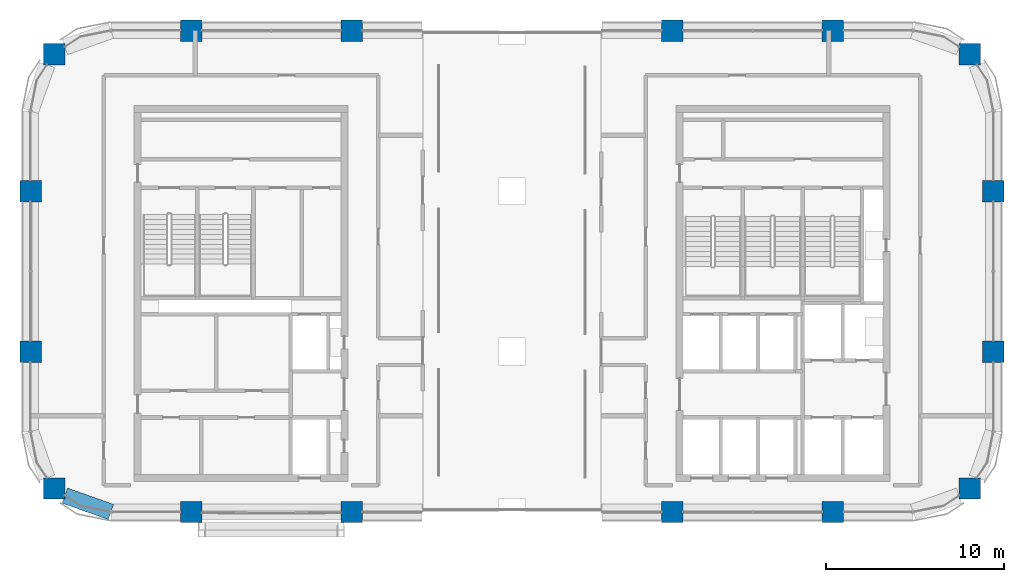
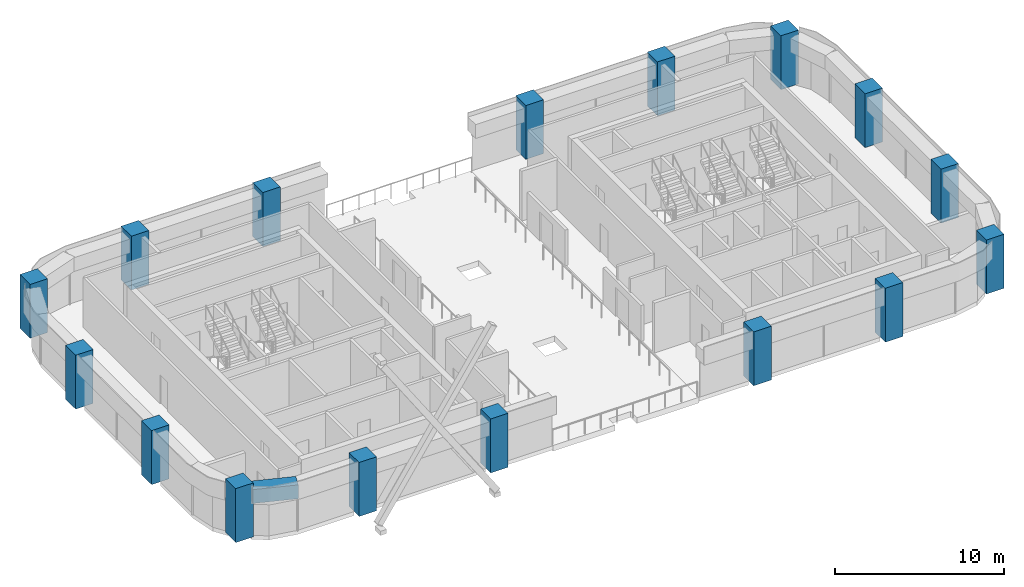
# One storey, part 1 of 11: 16 columns, 1 beam.
"""IFC4 building model written with IfcOpenShell, lengths in metres."""

from ifc_helpers import new_model, si_unit, direction, frame, origin, origin_2d, place, context, subcontext, project, spatial, rectangle, extrude, material, material_profile, profile_set, type_object, element, save


model = new_model("IFC4")

# Units and contexts
model_context = context("Model", 3, precision=1e-05, world=origin(), true_north=direction((0.0, 1.0)))
body_context = subcontext(model_context, "Body", "Model", "MODEL_VIEW")
ifc_project = project(units=[si_unit("LENGTHUNIT", "METRE"), si_unit("AREAUNIT", "SQUARE_METRE"), si_unit("VOLUMEUNIT", "CUBIC_METRE"), si_unit("PLANEANGLEUNIT", "RADIAN"), si_unit("MASSUNIT", "GRAM", prefix="KILO")], contexts=[model_context])

# Site, building, storey
site_placement = place(None, origin())
site = spatial("IfcSite", under=ifc_project, at=site_placement, CompositionType="ELEMENT")
building_placement = place(site_placement, origin())
building = spatial("IfcBuilding", under=site, at=building_placement, Name="Tessera Arch", CompositionType="ELEMENT")
storey_placement = place(building_placement, frame((0.0, 0.0, 203.300048828125)))
storey = spatial("IfcBuildingStorey", under=building, at=storey_placement, Name="L48", CompositionType="ELEMENT", Elevation=203.300048828125)

# Columns
ifc_material_1 = material(Name="Concrete C60/75", Category="concrete")
ifc_material_profile_1 = material_profile(ifc_material_1, rectangle(XDim=1.199951171875, YDim=1.199951171875, at=origin_2d()), Name="RC column 1200 x 1200 Concrete C60/75")
ifc_profile_set_1 = profile_set([ifc_material_profile_1], Name="Concrete C60/75")
column_type = type_object("IfcColumnType", Name="RC column 1200 x 1200 Concrete C60/75", PredefinedType="COLUMN", material=ifc_profile_set_1)
for number, where, z_axis, x_axis, name in (
    (1, (1.318115234375, 28.318115234375, 0.0), (0.0, 0.0, 1.0), (1.0, 0.0, 0.0), "Column C1D L48"),
    (2, (0.0, 36.0, 0.0), (0.0, 0.0, 1.0), (1.0, 0.0, 0.0), "Column C1E L48"),
    (3, (0.0, 45.0, 0.0), (0.0, 0.0, 1.0), (1.0, 0.0, 0.0), "Column C1F L48"),
    (4, (1.318115234375, 52.681884765625, 0.0), (0.0, 0.0, 1.0), (1.0, 0.0, 0.0), "Column C1G L48"),
    (5, (9.0, 27.0, 0.0), (0.0, 0.0, 1.0), (1.0, 0.0, 0.0), "Column C2D L48"),
    (6, (9.0, 54.0, 0.0), (0.0, 0.0, 1.0), (1.0, 0.0, 0.0), "Column C2G L48"),
    (7, (18.0, 27.0, 0.0), (0.0, 0.0, 1.0), (1.0, 0.0, 0.0), "Column C3D L48"),
    (8, (18.0, 54.0, 0.0), (0.0, 0.0, 1.0), (1.0, 0.0, 0.0), "Column C3G L48"),
    (9, (36.0, 27.0, 0.0), (0.0, 0.0, 1.0), (1.0, 0.0, 0.0), "Column C5D L48"),
    (10, (36.0, 54.0, 0.0), (0.0, 0.0, 1.0), (1.0, 0.0, 0.0), "Column C5G L48"),
    (11, (45.0, 27.0, 0.0), (0.0, 0.0, 1.0), (1.0, 0.0, 0.0), "Column C6D L48"),
    (12, (45.0, 54.0, 0.0), (0.0, 0.0, 1.0), (1.0, 0.0, 0.0), "Column C6G L48"),
    (13, (52.681884765625, 28.318115234375, 0.0), (0.0, 0.0, 1.0), (1.0, 0.0, 0.0), "Column C7D L48"),
    (14, (54.0, 36.0, 0.0), (0.0, 0.0, 1.0), (1.0, 0.0, 0.0), "Column C7E L48"),
    (15, (54.0, 45.0, 0.0), (0.0, 0.0, 1.0), (1.0, 0.0, 0.0), "Column C7F L48"),
    (16, (52.681884765625, 52.681884765625, 0.0), (0.0, 0.0, 1.0), (1.0, 0.0, 0.0), "Column C7G L48"),
):
    element("IfcColumn", number, at=place(storey_placement, frame(where, z_axis=z_axis, x_axis=x_axis)), inside=storey, type_object=column_type, Name=name, PredefinedType="COLUMN", context=body_context, shape_type="SweptSolid", body=[
        extrude(rectangle(XDim=1.199951171875, YDim=1.199951171875, at=origin_2d()), origin(), (0.0, 0.0, 1.0), 3.89990234375),
    ])

# Beam
ifc_material_2 = material(Name="Concrete C60/75", Category="concrete")
ifc_material_profile_2 = material_profile(ifc_material_2, rectangle(XDim=0.89990234375, YDim=1.0, at=origin_2d()), Name="RC spandrel beam 900 x 1000 Concrete C60/75")
ifc_profile_set_2 = profile_set([ifc_material_profile_2], Name="Concrete C60/75")
beam_type = type_object("IfcBeamType", Name="RC spandrel beam 900 x 1000 Concrete C60/75", PredefinedType="BEAM", material=ifc_profile_set_2)
beam_placement = place(storey_placement, frame((1.91796875, 27.9169921875, 3.099853515625), z_axis=(0.942337127159, -0.334665114373, 0.0), x_axis=(0.334665114373, 0.942337127159, 0.0)))
element("IfcBeam", 17, at=beam_placement, inside=storey, type_object=beam_type, Name="Spandrel beam L48 S27.0/2.1", PredefinedType="BEAM", context=body_context, shape_type="SweptSolid", body=[
    extrude(rectangle(XDim=0.89990234375, YDim=1.0, at=origin_2d()), origin(), (0.0, 0.0, 1.0), 2.739990234375),
])

save(model, "model.ifc")
